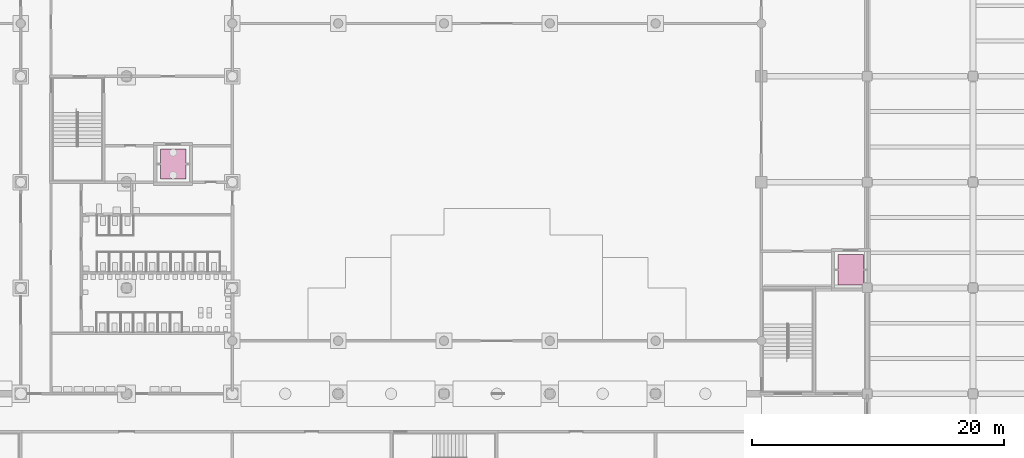
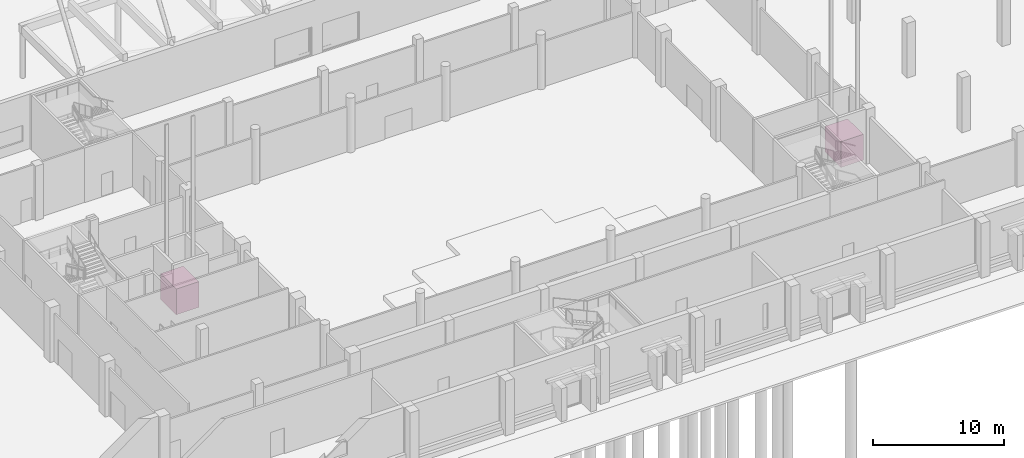
# One storey, part 74 of 74: 2 transport elements.
"""IFC4 building model written with IfcOpenShell, lengths in metres."""

import ifcopenshell
import ifcopenshell.guid

model = None  # the IFC model being written
_history = None  # IfcOwnerHistory: only IFC2X3 demands one
_inside = {}  # id of a spatial element -> (the spatial element, [elements in it])
_under = {}  # id of a project, library or spatial element -> (it, [spatial elements below it])
_declared = {}  # id of a project -> (the project, [libraries it declares])
_typed = {}  # id of a type object -> (the type object, [elements of that type])
_made_of = {}  # id of a material, layer set ... -> (it, [elements and type objects made of it])


def new_model(schema):
    """Start an empty IFC model of exactly this schema.

    Asked for "IFC4X3", IfcOpenShell would pick the latest addendum, in which some entities
    have other attributes; the version numbers below select the first issue.
    IFC2X3 requires an IfcOwnerHistory on every rooted entity: one is made here for all.
    """
    global model, _history
    if schema == "IFC4X3":
        model = ifcopenshell.file(schema_version=(4, 3, 0, 0))
    else:
        model = ifcopenshell.file(schema=schema)
    _inside.clear()
    _under.clear()
    _declared.clear()
    _typed.clear()
    _made_of.clear()
    _history = None
    if model.schema == "IFC2X3":
        org = make("IfcOrganization", Name="unknown")
        user = make(
            "IfcPersonAndOrganization",
            ThePerson=make("IfcPerson", FamilyName="unknown"),
            TheOrganization=org,
        )
        app = make(
            "IfcApplication",
            ApplicationDeveloper=org,
            Version="unknown",
            ApplicationFullName="unknown",
            ApplicationIdentifier="unknown",
        )
        _history = make(
            "IfcOwnerHistory",
            OwningUser=user,
            OwningApplication=app,
            ChangeAction="ADDED",
            CreationDate=0,
        )
    return model


def make(cls, **values):
    """One entity of the class cls with the attributes given. An attribute that is None is left unset."""
    return model.create_entity(
        cls, **{name: value for name, value in values.items() if value is not None}
    )


def rooted(cls, **values):
    """An entity with a GlobalId (a new one), such as an element, a storey or a relation."""
    return make(cls, GlobalId=ifcopenshell.guid.new(), OwnerHistory=_history, **values)


def si_unit(unit_type, name, prefix=None):
    """IfcSIUnit, for example si_unit("LENGTHUNIT", "METRE", prefix="MILLI")."""
    return make("IfcSIUnit", UnitType=unit_type, Prefix=prefix, Name=name)


def assignment(units):
    """IfcUnitAssignment: the units of a project."""
    return None if units is None else make("IfcUnitAssignment", Units=units)


def point(xyz):
    """IfcCartesianPoint."""
    return None if xyz is None else make("IfcCartesianPoint", Coordinates=xyz)


def direction(xyz):
    """IfcDirection."""
    return None if xyz is None else make("IfcDirection", DirectionRatios=xyz)


def frame(location, z_axis=None, x_axis=None):
    """IfcAxis2Placement3D, a coordinate frame: its origin and axes. An axis left out is left unset."""
    return make(
        "IfcAxis2Placement3D",
        Location=point(location),
        Axis=direction(z_axis),
        RefDirection=direction(x_axis),
    )


def frame_2d(location, x_axis=None):
    """IfcAxis2Placement2D, a coordinate frame in the plane: its origin and x axis."""
    return make(
        "IfcAxis2Placement2D", Location=point(location), RefDirection=direction(x_axis)
    )


def origin():
    """The frame at (0, 0, 0) with its axes left unset."""
    return frame((0.0, 0.0, 0.0))


def origin_2d():
    """The frame at (0, 0) in the plane with its x axis left unset."""
    return frame_2d((0.0, 0.0))


def place(relative_to, where):
    """IfcLocalPlacement: puts the frame where relative to a parent placement (None: the world)."""
    return make(
        "IfcLocalPlacement", PlacementRelTo=relative_to, RelativePlacement=where
    )


def context(
    kind, dimensions, precision=None, world=None, true_north=None, identifier=None
):
    """IfcGeometricRepresentationContext, for example the 3D "Model" context."""
    return make(
        "IfcGeometricRepresentationContext",
        ContextIdentifier=identifier,
        ContextType=kind,
        CoordinateSpaceDimension=dimensions,
        Precision=precision,
        WorldCoordinateSystem=world,
        TrueNorth=true_north,
    )


def subcontext(parent, identifier, kind, view, scale=None):
    """IfcGeometricRepresentationSubContext, for example "Body" below "Model"."""
    return make(
        "IfcGeometricRepresentationSubContext",
        ContextIdentifier=identifier,
        ContextType=kind,
        ParentContext=parent,
        TargetScale=scale,
        TargetView=view,
    )


def project(units=None, contexts=None):
    """IfcProject with its units and contexts."""
    return rooted(
        "IfcProject",
        Name="project",
        RepresentationContexts=contexts,
        UnitsInContext=assignment(units),
    )


def spatial(cls, under=None, at=None, **own):
    """A site, building, storey or space (cls), placed at a placement, below another one or the project."""
    s = rooted(cls, ObjectPlacement=at, **own)
    if under is not None:
        _under.setdefault(under.id(), (under, []))[1].append(s)
    return s


def profile(cls, at=None, kind="AREA", **sizes):
    """A parametric profile (cls). Its sizes go by their IFC names, for example OverallWidth=200.0."""
    return make(cls, ProfileType=kind, Position=at, **sizes)


def rectangle(**sizes):
    """IfcRectangleProfileDef."""
    return profile("IfcRectangleProfileDef", **sizes)


def extrude(swept, where, along, depth):
    """IfcExtrudedAreaSolid: the profile swept, set in the frame where, extruded along a direction by depth."""
    return make(
        "IfcExtrudedAreaSolid",
        SweptArea=swept,
        Position=where,
        ExtrudedDirection=direction(along),
        Depth=depth,
    )


def shape(context_of_items, identifier, shape_type, items):
    """IfcShapeRepresentation: the items that make up one representation, for example the "Body"."""
    return make(
        "IfcShapeRepresentation",
        ContextOfItems=context_of_items,
        RepresentationIdentifier=identifier,
        RepresentationType=shape_type,
        Items=items,
    )


def material(Name=None, Category=None):
    """IfcMaterial."""
    return make("IfcMaterial", Name=Name, Category=Category)


def made_of(thing, what):
    """Note that an element or type object is made of a material, layer set ...; save() writes the relation."""
    if what is not None:
        _made_of.setdefault(what.id(), (what, []))[1].append(thing)
    return thing


def type_object(cls, material=None, **own):
    """A type object (cls), such as IfcWallType, which elements share."""
    return made_of(rooted(cls, **own), material)


def element(
    cls,
    number,
    at=None,
    inside=None,
    cuts=None,
    type_object=None,
    material=None,
    context=None,
    identifier="Body",
    shape_type=None,
    held_by="IfcProductDefinitionShape",
    body=None,
    shapes=None,
    **own,
):
    """One element of the class cls, such as IfcWall. Its Tag is "e" and its number.

    at: its placement. inside: the storey or other place that contains it. cuts: it is an
    opening in that element (IfcRelVoidsElement). A single representation is given by context,
    identifier, shape_type and body (its items); several are given by shapes. held_by: the class
    of the entity that holds the representations. save() writes the other relations.
    """
    e = rooted(cls, Tag="e%d" % number, ObjectPlacement=at, **own)
    if body is not None:
        shapes = [shape(context, identifier, shape_type, body)]
    if shapes is not None:
        e.Representation = make(held_by, Representations=shapes)
    if inside is not None:
        _inside.setdefault(inside.id(), (inside, []))[1].append(e)
    if cuts is not None:
        rooted(
            "IfcRelVoidsElement", RelatingBuildingElement=cuts, RelatedOpeningElement=e
        )
    if type_object is not None:
        _typed.setdefault(type_object.id(), (type_object, []))[1].append(e)
    return made_of(e, material)


def aggregate(whole, parts):
    """IfcRelAggregates: a whole, such as a stair, and the parts it consists of."""
    return rooted("IfcRelAggregates", RelatingObject=whole, RelatedObjects=parts)


def save(model, path):
    """Write the relations noted so far, then the file.

    IfcRelAggregates (storeys below a building ...), IfcRelContainedInSpatialStructure (elements
    in a storey), IfcRelDefinesByType, IfcRelAssociatesMaterial and IfcRelDeclares: one each for
    every whole, place, type object, material and project.
    """
    for whole, parts in _under.values():
        aggregate(whole, parts)
    for where, things in _inside.values():
        rooted(
            "IfcRelContainedInSpatialStructure",
            RelatedElements=things,
            RelatingStructure=where,
        )
    for kind, things in _typed.values():
        rooted("IfcRelDefinesByType", RelatedObjects=things, RelatingType=kind)
    for what, things in _made_of.values():
        rooted("IfcRelAssociatesMaterial", RelatedObjects=things, RelatingMaterial=what)
    for by, libraries in _declared.values():
        rooted("IfcRelDeclares", RelatingContext=by, RelatedDefinitions=libraries)
    model.write(path)


model = new_model("IFC4")

# Units and contexts
model_context = context("Model", 3, precision=1e-05, world=origin(), true_north=direction((0.0, 1.0)))
body_context = subcontext(model_context, "Body", "Model", "MODEL_VIEW")
ifc_project = project(units=[si_unit("LENGTHUNIT", "METRE"), si_unit("AREAUNIT", "SQUARE_METRE"), si_unit("VOLUMEUNIT", "CUBIC_METRE"), si_unit("PLANEANGLEUNIT", "RADIAN"), si_unit("MASSUNIT", "GRAM", prefix="KILO")], contexts=[model_context])

# Site, building, storey
site_placement = place(None, origin())
site = spatial("IfcSite", under=ifc_project, at=site_placement, CompositionType="ELEMENT")
building_placement = place(site_placement, origin())
building = spatial("IfcBuilding", under=site, at=building_placement, Name="Rulbaag Community and Learning Centre", CompositionType="ELEMENT")
storey_placement = place(building_placement, origin())
storey = spatial("IfcBuildingStorey", under=building, at=storey_placement, Name="L00", CompositionType="ELEMENT", Elevation=0.0)

# Transport elements
ifc_material = material(Name="Stainless steel grade 304", Category="steel")
transport_element_type = type_object("IfcTransportElementType", Name="LP-2000x2400 PASSENGER LIFT", PredefinedType="ELEVATOR", material=ifc_material)
for number, where, z_axis, x_axis, name in (
    (1, (37.300048828125, 26.64990234375, 0.0), (0.0, 0.0, 1.0), (1.0, 0.0, 0.0), "Lift LH1"),
    (2, (91.10009765625, 18.25, 0.0), (0.0, 0.0, 1.0), (1.0, 0.0, 0.0), "Lift LH2"),
):
    element("IfcTransportElement", number, at=place(storey_placement, frame(where, z_axis=z_axis, x_axis=x_axis)), inside=storey, type_object=transport_element_type, Name=name, PredefinedType="ELEVATOR", context=body_context, shape_type="SweptSolid", body=[
        extrude(rectangle(XDim=2.0, YDim=2.39990234375, at=origin_2d()), origin(), (0.0, 0.0, 1.0), 2.39990234375),
    ])

save(model, "model.ifc")
